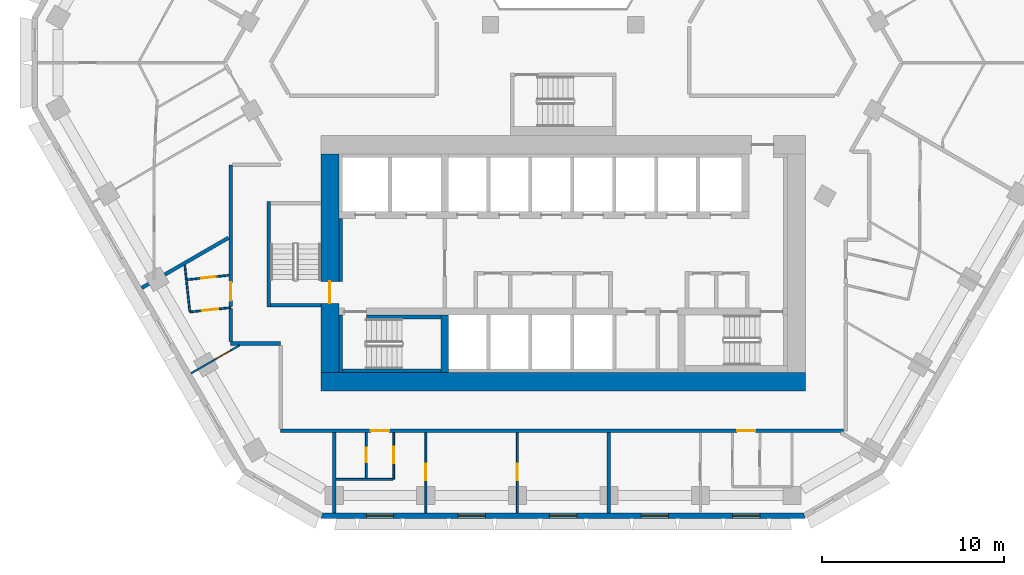
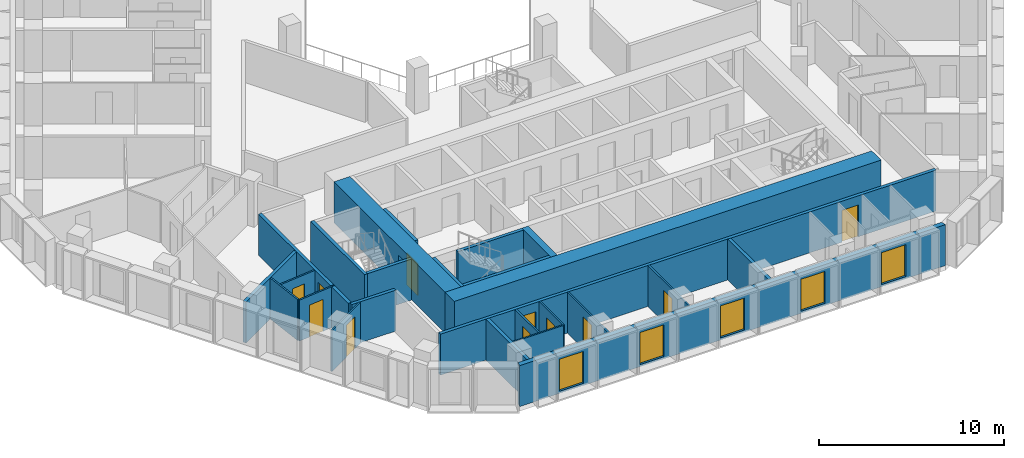
# One storey, part 3 of 16: 26 walls, 11 doors, 5 windows, 16 openings.
"""IFC4 building model written with IfcOpenShell, lengths in metres."""

from ifc_helpers import new_model, si_unit, direction, frame, frame_2d, origin, place, context, subcontext, project, spatial, polyline, rectangle, outline, extrude, material, layer, layer_set, type_object, element, fill, save


model = new_model("IFC4")

# Units and contexts
model_context = context("Model", 3, precision=1e-05, world=origin(), true_north=direction((0.0, 1.0)))
body_context = subcontext(model_context, "Body", "Model", "MODEL_VIEW")
ifc_project = project(units=[si_unit("LENGTHUNIT", "METRE"), si_unit("AREAUNIT", "SQUARE_METRE"), si_unit("VOLUMEUNIT", "CUBIC_METRE"), si_unit("PLANEANGLEUNIT", "RADIAN"), si_unit("MASSUNIT", "GRAM", prefix="KILO")], contexts=[model_context])

# Site, building, storey
site_placement = place(None, origin())
site = spatial("IfcSite", under=ifc_project, at=site_placement, CompositionType="ELEMENT")
building_placement = place(site_placement, origin())
building = spatial("IfcBuilding", under=site, at=building_placement, Name="Beryl Residences", CompositionType="ELEMENT")
storey_placement = place(building_placement, frame((0.0, 0.0, 96.0)))
storey = spatial("IfcBuildingStorey", under=building, at=storey_placement, Name="L29", CompositionType="ELEMENT", Elevation=96.0)

# Wall, openings, windows
ifc_material_1 = material(Name="Composite metal panel with mineral wool insulation")
ifc_layer_1 = layer(ifc_material_1, 0.300048828125)
ifc_layer_set_1 = layer_set([ifc_layer_1], Name="ES1 pale metal composite panel wall 300 mm")
wall_type_1 = type_object("IfcWallType", Name="ES1 pale metal composite panel wall 300 mm", PredefinedType="SOLIDWALL", material=ifc_layer_set_1)
wall_1_placement = place(storey_placement, frame((-13.279052734375, -25.85009765625, 0.0), z_axis=(0.0, 0.0, 1.0), x_axis=(1.0, 0.0, 0.0)))
wall_1 = element("IfcWall", 1, at=wall_1_placement, inside=storey, type_object=wall_type_1, Name="ES1 external wall L29 S", PredefinedType="SOLIDWALL", context=body_context, shape_type="SweptSolid", body=[
    extrude(outline(polyline([(0.0, -0.14990234375), (26.55810546875, -0.14990234375), (26.477783203125, 0.14990234375), (0.080322265625, 0.14990234375), (0.0, -0.14990234375)])), origin(), (0.0, 0.0, 1.0), 2.699951171875),
])
opening_1_placement = place(wall_1_placement, frame((2.48291015625, 0.0, 0.14990234375)))
opening_1 = element("IfcOpeningElement", 2, at=opening_1_placement, cuts=wall_1, Name="Opening W1", PredefinedType="OPENING", context=body_context, shape_type="SweptSolid", body=[
    extrude(rectangle(XDim=1.5, YDim=2.10009765625, at=frame_2d((0.75, 1.050048828125))), frame((0.0, 0.159912109375, 0.0), z_axis=(0.0, -1.0, 0.0), x_axis=(1.0, 0.0, 0.0)), (0.0, 0.0, 1.0), 0.320068359375),
])
opening_2_placement = place(wall_1_placement, frame((7.507080078125, 0.0, 0.14990234375)))
opening_2 = element("IfcOpeningElement", 3, at=opening_2_placement, cuts=wall_1, Name="Opening W1", PredefinedType="OPENING", context=body_context, shape_type="SweptSolid", body=[
    extrude(rectangle(XDim=1.5, YDim=2.10009765625, at=frame_2d((0.75, 1.050048828125))), frame((0.0, 0.159912109375, 0.0), z_axis=(0.0, -1.0, 0.0), x_axis=(1.0, 0.0, 0.0)), (0.0, 0.0, 1.0), 0.320068359375),
])
opening_3_placement = place(wall_1_placement, frame((12.529052734375, 0.0, 0.14990234375)))
opening_3 = element("IfcOpeningElement", 4, at=opening_3_placement, cuts=wall_1, Name="Opening W1", PredefinedType="OPENING", context=body_context, shape_type="SweptSolid", body=[
    extrude(rectangle(XDim=1.5, YDim=2.10009765625, at=frame_2d((0.75, 1.050048828125))), frame((0.0, 0.159912109375, 0.0), z_axis=(0.0, -1.0, 0.0), x_axis=(1.0, 0.0, 0.0)), (0.0, 0.0, 1.0), 0.320068359375),
])
opening_4_placement = place(wall_1_placement, frame((17.552978515625, 0.0, 0.14990234375)))
opening_4 = element("IfcOpeningElement", 5, at=opening_4_placement, cuts=wall_1, Name="Opening W1", PredefinedType="OPENING", context=body_context, shape_type="SweptSolid", body=[
    extrude(rectangle(XDim=1.5, YDim=2.10009765625, at=frame_2d((0.75, 1.050048828125))), frame((0.0, 0.159912109375, 0.0), z_axis=(0.0, -1.0, 0.0), x_axis=(1.0, 0.0, 0.0)), (0.0, 0.0, 1.0), 0.320068359375),
])
opening_5_placement = place(wall_1_placement, frame((22.574951171875, 0.0, 0.14990234375)))
opening_5 = element("IfcOpeningElement", 6, at=opening_5_placement, cuts=wall_1, Name="Opening W1", PredefinedType="OPENING", context=body_context, shape_type="SweptSolid", body=[
    extrude(rectangle(XDim=1.5, YDim=2.10009765625, at=frame_2d((0.75, 1.050048828125))), frame((0.0, 0.159912109375, 0.0), z_axis=(0.0, -1.0, 0.0), x_axis=(1.0, 0.0, 0.0)), (0.0, 0.0, 1.0), 0.320068359375),
])
ifc_material_2 = material(Name="Aluminium and clear glass", Category="aluminium")
window_type = type_object("IfcWindowType", Name="W1 cell window 1500 x 2100 mm", PartitioningType="SINGLE_PANEL", PredefinedType="WINDOW", material=ifc_material_2)
window_1_placement = place(opening_1_placement, origin())
window_1 = element("IfcWindow", 7, at=window_1_placement, inside=storey, type_object=window_type, Name="W1 window L29 S 2", OverallHeight=2.10009765625, OverallWidth=1.5, PartitioningType="SINGLE_PANEL", PredefinedType="WINDOW", context=body_context, shape_type="SweptSolid", body=[
    extrude(rectangle(XDim=1.5, YDim=2.10009765625, at=frame_2d((0.75, 1.050048828125))), frame((0.0, 0.030029296875, 0.0), z_axis=(0.0, -1.0, 0.0), x_axis=(1.0, 0.0, 0.0)), (0.0, 0.0, 1.0), 0.06005859375),
])
fill(opening_1, window_1)
window_2_placement = place(opening_2_placement, origin())
window_2 = element("IfcWindow", 8, at=window_2_placement, inside=storey, type_object=window_type, Name="W1 window L29 S 4", OverallHeight=2.10009765625, OverallWidth=1.5, PartitioningType="SINGLE_PANEL", PredefinedType="WINDOW", context=body_context, shape_type="SweptSolid", body=[
    extrude(rectangle(XDim=1.5, YDim=2.10009765625, at=frame_2d((0.75, 1.050048828125))), frame((0.0, 0.030029296875, 0.0), z_axis=(0.0, -1.0, 0.0), x_axis=(1.0, 0.0, 0.0)), (0.0, 0.0, 1.0), 0.06005859375),
])
fill(opening_2, window_2)
window_3_placement = place(opening_3_placement, origin())
window_3 = element("IfcWindow", 9, at=window_3_placement, inside=storey, type_object=window_type, Name="W1 window L29 S 6", OverallHeight=2.10009765625, OverallWidth=1.5, PartitioningType="SINGLE_PANEL", PredefinedType="WINDOW", context=body_context, shape_type="SweptSolid", body=[
    extrude(rectangle(XDim=1.5, YDim=2.10009765625, at=frame_2d((0.75, 1.050048828125))), frame((0.0, 0.030029296875, 0.0), z_axis=(0.0, -1.0, 0.0), x_axis=(1.0, 0.0, 0.0)), (0.0, 0.0, 1.0), 0.06005859375),
])
fill(opening_3, window_3)
window_4_placement = place(opening_4_placement, origin())
window_4 = element("IfcWindow", 10, at=window_4_placement, inside=storey, type_object=window_type, Name="W1 window L29 S 8", OverallHeight=2.10009765625, OverallWidth=1.5, PartitioningType="SINGLE_PANEL", PredefinedType="WINDOW", context=body_context, shape_type="SweptSolid", body=[
    extrude(rectangle(XDim=1.5, YDim=2.10009765625, at=frame_2d((0.75, 1.050048828125))), frame((0.0, 0.030029296875, 0.0), z_axis=(0.0, -1.0, 0.0), x_axis=(1.0, 0.0, 0.0)), (0.0, 0.0, 1.0), 0.06005859375),
])
fill(opening_4, window_4)
window_5_placement = place(opening_5_placement, origin())
window_5 = element("IfcWindow", 11, at=window_5_placement, inside=storey, type_object=window_type, Name="W1 window L29 S 10", OverallHeight=2.10009765625, OverallWidth=1.5, PartitioningType="SINGLE_PANEL", PredefinedType="WINDOW", context=body_context, shape_type="SweptSolid", body=[
    extrude(rectangle(XDim=1.5, YDim=2.10009765625, at=frame_2d((0.75, 1.050048828125))), frame((0.0, 0.030029296875, 0.0), z_axis=(0.0, -1.0, 0.0), x_axis=(1.0, 0.0, 0.0)), (0.0, 0.0, 1.0), 0.06005859375),
])
fill(opening_5, window_5)

# Wall
ifc_material_3 = material(Name="Gypsum board partition on steel studs", Category="steel")
ifc_layer_2 = layer(ifc_material_3, 0.10009765625)
ifc_layer_set_2 = layer_set([ifc_layer_2], Name="PT1 partition 100 mm gypsum board on steel studs")
wall_type_2 = type_object("IfcWallType", Name="PT1 partition 100 mm gypsum board on steel studs", PredefinedType="PARTITIONING", material=ifc_layer_set_2)
wall_2_placement = place(storey_placement, frame((-20.761962890625, -12.10205078125, 0.0), z_axis=(0.0, 0.0, 1.0), x_axis=(0.106118300401, -0.994353511745, 0.0)))
element("IfcWall", 12, at=wall_2_placement, inside=storey, type_object=wall_type_2, Name="Wall PT1 L29 006", PredefinedType="PARTITIONING", context=body_context, shape_type="SweptSolid", body=[
    extrude(rectangle(XDim=2.535400390625, YDim=0.10009765625, at=frame_2d((1.267578125, 0.0))), origin(), (0.0, 0.0, 1.0), 2.699951171875),
])

# Wall, opening, door
wall_3_placement = place(storey_placement, frame((-7.533935546875, -21.300048828125, 0.0), z_axis=(0.0, 0.0, 1.0), x_axis=(0.0, -1.0, 0.0)))
wall_3 = element("IfcWall", 13, at=wall_3_placement, inside=storey, type_object=wall_type_2, Name="Wall PT1 L29 010", PredefinedType="PARTITIONING", context=body_context, shape_type="SweptSolid", body=[
    extrude(rectangle(XDim=4.39990234375, YDim=0.10009765625, at=frame_2d((2.199951171875, 0.0))), origin(), (0.0, 0.0, 1.0), 2.699951171875),
])
opening_6_placement = place(wall_3_placement, frame((1.699951171875, 0.0, 0.0)))
opening_6 = element("IfcOpeningElement", 14, at=opening_6_placement, cuts=wall_3, Name="Opening D0904", PredefinedType="OPENING", context=body_context, shape_type="SweptSolid", body=[
    extrude(rectangle(XDim=0.89990234375, YDim=2.10009765625, at=frame_2d((0.449951171875, 1.050048828125))), frame((0.0, 0.06005859375, 0.0), z_axis=(0.0, -1.0, 0.0), x_axis=(1.0, 0.0, 0.0)), (0.0, 0.0, 1.0), 0.1201171875),
])
ifc_material_4 = material(Name="Timber door leaf", Category="wood")
door_type_1 = type_object("IfcDoorType", Name="D2 room door 900 x 2100 mm", OperationType="SINGLE_SWING_LEFT", PredefinedType="DOOR", material=ifc_material_4)
door_1_placement = place(opening_6_placement, origin())
door_1 = element("IfcDoor", 15, at=door_1_placement, inside=storey, type_object=door_type_1, Name="Door D0904 L29 001", OperationType="SINGLE_SWING_RIGHT", OverallHeight=2.10009765625, OverallWidth=0.89990234375, PredefinedType="DOOR", context=body_context, shape_type="SweptSolid", body=[
    extrude(rectangle(XDim=0.89990234375, YDim=2.10009765625, at=frame_2d((0.449951171875, 1.050048828125))), frame((0.0, 0.02490234375, 0.0), z_axis=(0.0, -1.0, 0.0), x_axis=(1.0, 0.0, 0.0)), (0.0, 0.0, 1.0), 0.050048828125),
])
fill(opening_6, door_1)

# Wall
wall_4_placement = place(storey_placement, frame((-12.45703125, -23.860107421875, 0.0), z_axis=(0.0, 0.0, 1.0), x_axis=(1.0, 0.0, 0.0)))
element("IfcWall", 16, at=wall_4_placement, inside=storey, type_object=wall_type_2, Name="Wall PT1 L29 028", PredefinedType="PARTITIONING", context=body_context, shape_type="SweptSolid", body=[
    extrude(rectangle(XDim=3.114013671875, YDim=0.10009765625, at=frame_2d((1.55712890625, 0.0))), origin(), (0.0, 0.0, 1.0), 2.699951171875),
])

# Wall, opening, door
wall_5_placement = place(storey_placement, frame((-20.6259765625, -12.902099609375, 0.0), z_axis=(0.0, 0.0, 1.0), x_axis=(0.994385570266, 0.105817473257, 0.0)))
wall_5 = element("IfcWall", 17, at=wall_5_placement, inside=storey, type_object=wall_type_2, Name="Wall PT1 L29 033", PredefinedType="PARTITIONING", context=body_context, shape_type="SweptSolid", body=[
    extrude(rectangle(XDim=2.288818359375, YDim=0.10009765625, at=frame_2d((1.14453125, 0.0))), origin(), (0.0, 0.0, 1.0), 2.699951171875),
])
opening_7_placement = place(wall_5_placement, frame((0.77001953125, 0.0, 0.0)))
opening_7 = element("IfcOpeningElement", 18, at=opening_7_placement, cuts=wall_5, Name="Opening D0960", PredefinedType="OPENING", context=body_context, shape_type="SweptSolid", body=[
    extrude(rectangle(XDim=0.800048828125, YDim=2.10009765625, at=frame_2d((0.39990234375, 1.050048828125))), frame((0.0, 0.06005859375, 0.0), z_axis=(0.0, -1.0, 0.0), x_axis=(1.0, 0.0, 0.0)), (0.0, 0.0, 1.0), 0.1201171875),
])
ifc_material_5 = material(Name="Timber door leaf", Category="wood")
door_type_2 = type_object("IfcDoorType", Name="D3 bathroom door 800 x 2100 mm", OperationType="SINGLE_SWING_LEFT", PredefinedType="DOOR", material=ifc_material_5)
door_2_placement = place(opening_7_placement, origin())
door_2 = element("IfcDoor", 19, at=door_2_placement, inside=storey, type_object=door_type_2, Name="Door D0960 L29 001", OperationType="SINGLE_SWING_RIGHT", OverallHeight=2.10009765625, OverallWidth=0.800048828125, PredefinedType="DOOR", context=body_context, shape_type="SweptSolid", body=[
    extrude(rectangle(XDim=0.800048828125, YDim=2.10009765625, at=frame_2d((0.39990234375, 1.050048828125))), frame((0.0, 0.02490234375, 0.0), z_axis=(0.0, -1.0, 0.0), x_axis=(1.0, 0.0, 0.0)), (0.0, 0.0, 1.0), 0.050048828125),
])
fill(opening_7, door_2)

wall_6_placement = place(storey_placement, frame((-20.487060546875, -14.674072265625, 0.0), z_axis=(0.0, 0.0, 1.0), x_axis=(0.994386484046, 0.105808885948, 0.0)))
wall_6 = element("IfcWall", 20, at=wall_6_placement, inside=storey, type_object=wall_type_2, Name="Wall PT1 L29 034", PredefinedType="PARTITIONING", context=body_context, shape_type="SweptSolid", body=[
    extrude(rectangle(XDim=2.249755859375, YDim=0.10009765625, at=frame_2d((1.125, 0.0))), origin(), (0.0, 0.0, 1.0), 2.699951171875),
])
opening_8_placement = place(wall_6_placement, frame((0.674072265625, 0.0, 0.0)))
opening_8 = element("IfcOpeningElement", 21, at=opening_8_placement, cuts=wall_6, Name="Opening D0959", PredefinedType="OPENING", context=body_context, shape_type="SweptSolid", body=[
    extrude(rectangle(XDim=0.89990234375, YDim=2.10009765625, at=frame_2d((0.449951171875, 1.050048828125))), frame((0.0, 0.06005859375, 0.0), z_axis=(0.0, -1.0, 0.0), x_axis=(1.0, 0.0, 0.0)), (0.0, 0.0, 1.0), 0.1201171875),
])
door_3_placement = place(opening_8_placement, origin())
door_3 = element("IfcDoor", 22, at=door_3_placement, inside=storey, type_object=door_type_1, Name="Door D0959 L29 001", OperationType="SINGLE_SWING_LEFT", OverallHeight=2.10009765625, OverallWidth=0.89990234375, PredefinedType="DOOR", context=body_context, shape_type="SweptSolid", body=[
    extrude(rectangle(XDim=0.89990234375, YDim=2.10009765625, at=frame_2d((0.449951171875, 1.050048828125))), frame((0.0, 0.02490234375, 0.0), z_axis=(0.0, -1.0, 0.0), x_axis=(1.0, 0.0, 0.0)), (0.0, 0.0, 1.0), 0.050048828125),
])
fill(opening_8, door_3)

wall_7_placement = place(storey_placement, frame((-9.2919921875, -23.85888671875, 0.0), z_axis=(0.0, 0.0, 1.0), x_axis=(0.0, 1.0, 0.0)))
wall_7 = element("IfcWall", 23, at=wall_7_placement, inside=storey, type_object=wall_type_2, Name="Wall PT1 L29 053", PredefinedType="PARTITIONING", context=body_context, shape_type="SweptSolid", body=[
    extrude(rectangle(XDim=2.558837890625, YDim=0.10009765625, at=frame_2d((1.279296875, 0.0))), origin(), (0.0, 0.0, 1.0), 2.699951171875),
])
opening_9_placement = place(wall_7_placement, frame((0.87890625, 0.0, 0.0)))
opening_9 = element("IfcOpeningElement", 24, at=opening_9_placement, cuts=wall_7, Name="Opening D0902", PredefinedType="OPENING", context=body_context, shape_type="SweptSolid", body=[
    extrude(rectangle(XDim=0.89990234375, YDim=2.10009765625, at=frame_2d((0.449951171875, 1.050048828125))), frame((0.0, 0.06005859375, 0.0), z_axis=(0.0, -1.0, 0.0), x_axis=(1.0, 0.0, 0.0)), (0.0, 0.0, 1.0), 0.1201171875),
])
door_4_placement = place(opening_9_placement, origin())
door_4 = element("IfcDoor", 25, at=door_4_placement, inside=storey, type_object=door_type_1, Name="Door D0902 L29 001", OperationType="SINGLE_SWING_RIGHT", OverallHeight=2.10009765625, OverallWidth=0.89990234375, PredefinedType="DOOR", context=body_context, shape_type="SweptSolid", body=[
    extrude(rectangle(XDim=0.89990234375, YDim=2.10009765625, at=frame_2d((0.449951171875, 1.050048828125))), frame((0.0, 0.02490234375, 0.0), z_axis=(0.0, -1.0, 0.0), x_axis=(1.0, 0.0, 0.0)), (0.0, 0.0, 1.0), 0.050048828125),
])
fill(opening_9, door_4)

wall_8_placement = place(storey_placement, frame((-10.799072265625, -23.81005859375, 0.0), z_axis=(0.0, 0.0, 1.0), x_axis=(0.0, 1.0, 0.0)))
wall_8 = element("IfcWall", 26, at=wall_8_placement, inside=storey, type_object=wall_type_2, Name="Wall PT1 L29 054", PredefinedType="PARTITIONING", context=body_context, shape_type="SweptSolid", body=[
    extrude(rectangle(XDim=2.510009765625, YDim=0.10009765625, at=frame_2d((1.2548828125, 0.0))), origin(), (0.0, 0.0, 1.0), 2.699951171875),
])
opening_10_placement = place(wall_8_placement, frame((0.8798828125, 0.0, 0.0)))
opening_10 = element("IfcOpeningElement", 27, at=opening_10_placement, cuts=wall_8, Name="Opening D0903", PredefinedType="OPENING", context=body_context, shape_type="SweptSolid", body=[
    extrude(rectangle(XDim=0.800048828125, YDim=2.10009765625, at=frame_2d((0.39990234375, 1.050048828125))), frame((0.0, 0.06005859375, 0.0), z_axis=(0.0, -1.0, 0.0), x_axis=(1.0, 0.0, 0.0)), (0.0, 0.0, 1.0), 0.1201171875),
])
door_5_placement = place(opening_10_placement, origin())
door_5 = element("IfcDoor", 28, at=door_5_placement, inside=storey, type_object=door_type_2, Name="Door D0903 L29 001", OperationType="SINGLE_SWING_LEFT", OverallHeight=2.10009765625, OverallWidth=0.800048828125, PredefinedType="DOOR", context=body_context, shape_type="SweptSolid", body=[
    extrude(rectangle(XDim=0.800048828125, YDim=2.10009765625, at=frame_2d((0.39990234375, 1.050048828125))), frame((0.0, 0.02490234375, 0.0), z_axis=(0.0, -1.0, 0.0), x_axis=(1.0, 0.0, 0.0)), (0.0, 0.0, 1.0), 0.050048828125),
])
fill(opening_10, door_5)

wall_9_placement = place(storey_placement, frame((-2.510986328125, -25.699951171875, 0.0), z_axis=(0.0, 0.0, 1.0), x_axis=(0.0, 1.0, 0.0)))
wall_9 = element("IfcWall", 29, at=wall_9_placement, inside=storey, type_object=wall_type_2, Name="Wall PT1 L29 056", PredefinedType="PARTITIONING", context=body_context, shape_type="SweptSolid", body=[
    extrude(rectangle(XDim=4.39990234375, YDim=0.10009765625, at=frame_2d((2.199951171875, 0.0))), origin(), (0.0, 0.0, 1.0), 2.699951171875),
])
opening_11_placement = place(wall_9_placement, frame((1.800048828125, 0.0, 0.0)))
opening_11 = element("IfcOpeningElement", 30, at=opening_11_placement, cuts=wall_9, Name="Opening D0905", PredefinedType="OPENING", context=body_context, shape_type="SweptSolid", body=[
    extrude(rectangle(XDim=0.89990234375, YDim=2.10009765625, at=frame_2d((0.449951171875, 1.050048828125))), frame((0.0, 0.06005859375, 0.0), z_axis=(0.0, -1.0, 0.0), x_axis=(1.0, 0.0, 0.0)), (0.0, 0.0, 1.0), 0.1201171875),
])
door_6_placement = place(opening_11_placement, origin())
door_6 = element("IfcDoor", 31, at=door_6_placement, inside=storey, type_object=door_type_1, Name="Door D0905 L29 001", OperationType="SINGLE_SWING_LEFT", OverallHeight=2.10009765625, OverallWidth=0.89990234375, PredefinedType="DOOR", context=body_context, shape_type="SweptSolid", body=[
    extrude(rectangle(XDim=0.89990234375, YDim=2.10009765625, at=frame_2d((0.449951171875, 1.050048828125))), frame((0.0, 0.02490234375, 0.0), z_axis=(0.0, -1.0, 0.0), x_axis=(1.0, 0.0, 0.0)), (0.0, 0.0, 1.0), 0.050048828125),
])
fill(opening_11, door_6)

wall_10_placement = place(storey_placement, frame((-20.416015625, -18.0380859375, 0.0), z_axis=(0.0, 0.0, 1.0), x_axis=(0.866026989333, 0.499997253739, 0.0)))
wall_10 = element("IfcWall", 32, at=wall_10_placement, inside=storey, type_object=wall_type_2, Name="Wall PT1 L29 059", PredefinedType="PARTITIONING", context=body_context, shape_type="SweptSolid", body=[
    extrude(rectangle(XDim=3.076171875, YDim=0.10009765625, at=frame_2d((1.5380859375, 0.0))), origin(), (0.0, 0.0, 1.0), 2.699951171875),
])
opening_12_placement = place(wall_10_placement, frame((1.587890625, 0.0, 0.0)))
opening_12 = element("IfcOpeningElement", 33, at=opening_12_placement, cuts=wall_10, Name="Opening D0961", PredefinedType="OPENING", context=body_context, shape_type="SweptSolid", body=[
    extrude(rectangle(XDim=0.89990234375, YDim=2.10009765625, at=frame_2d((0.449951171875, 1.050048828125))), frame((0.0, 0.06005859375, 0.0), z_axis=(0.0, -1.0, 0.0), x_axis=(1.0, 0.0, 0.0)), (0.0, 0.0, 1.0), 0.1201171875),
])
door_7_placement = place(opening_12_placement, origin())
door_7 = element("IfcDoor", 34, at=door_7_placement, inside=storey, type_object=door_type_1, Name="Door D0961 L29 001", OperationType="SINGLE_SWING_LEFT", OverallHeight=2.10009765625, OverallWidth=0.89990234375, PredefinedType="DOOR", context=body_context, shape_type="SweptSolid", body=[
    extrude(rectangle(XDim=0.89990234375, YDim=2.10009765625, at=frame_2d((0.449951171875, 1.050048828125))), frame((0.0, 0.02490234375, 0.0), z_axis=(0.0, -1.0, 0.0), x_axis=(1.0, 0.0, 0.0)), (0.0, 0.0, 1.0), 0.050048828125),
])
fill(opening_12, door_7)

# Walls
ifc_material_6 = material(Name="Concrete masonry", Category="masonry")
ifc_layer_3 = layer(ifc_material_6, 0.199951171875)
ifc_layer_set_3 = layer_set([ifc_layer_3], Name="PT13 lobby wall 200 mm")
wall_type_3 = type_object("IfcWallType", Name="PT13 lobby wall 200 mm", PredefinedType="PARTITIONING", material=ifc_layer_set_3)
wall_11_placement = place(storey_placement, frame((-12.199951171875, -13.0, 0.0), z_axis=(0.0, 0.0, 1.0), x_axis=(0.0, 1.0, 0.0)))
element("IfcWall", 35, at=wall_11_placement, inside=storey, type_object=wall_type_3, Name="Lobby wall 05", PredefinedType="PARTITIONING", context=body_context, shape_type="SweptSolid", body=[
    extrude(rectangle(XDim=3.449951171875, YDim=0.199951171875, at=frame_2d((1.72509765625, 0.0))), origin(), (0.0, 0.0, 1.0), 2.699951171875),
])
ifc_material_7 = material(Name="Acoustic double stud gypsum board wall")
ifc_layer_4 = layer(ifc_material_7, 0.199951171875)
ifc_layer_set_4 = layer_set([ifc_layer_4], Name="PT3 party wall 200 mm acoustic double stud")
wall_type_4 = type_object("IfcWallType", Name="PT3 party wall 200 mm acoustic double stud", PredefinedType="PARTITIONING", material=ifc_layer_set_4)
for number, where, z_axis, x_axis, name in (
    (36, (2.511962890625, -25.699951171875, 0.0), (0.0, 0.0, 1.0), (0.0, 1.0, 0.0), "Wall PT3 L29 007"),
    (37, (-12.556884765625, -25.699951171875, 0.0), (0.0, 0.0, 1.0), (0.0, 1.0, 0.0), "Wall PT3 L29 009"),
):
    element("IfcWall", number, at=place(storey_placement, frame(where, z_axis=z_axis, x_axis=x_axis)), inside=storey, type_object=wall_type_4, Name=name, PredefinedType="PARTITIONING", context=body_context, shape_type="SweptSolid", body=[
        extrude(rectangle(XDim=4.39990234375, YDim=0.199951171875, at=frame_2d((2.199951171875, 0.0))), origin(), (0.0, 0.0, 1.0), 2.699951171875),
    ])
wall_12_placement = place(storey_placement, frame((-23.123046875, -13.35009765625, 0.0), z_axis=(0.0, 0.0, 1.0), x_axis=(0.866013095437, 0.500021318078, 0.0)))
element("IfcWall", 38, at=wall_12_placement, inside=storey, type_object=wall_type_4, Name="Wall PT3 L29 010", PredefinedType="PARTITIONING", context=body_context, shape_type="SweptSolid", body=[
    extrude(rectangle(XDim=5.491943359375, YDim=0.199951171875, at=frame_2d((2.74609375, 0.0))), origin(), (0.0, 0.0, 1.0), 2.699951171875),
])
ifc_material_8 = material(Name="Double stud gypsum board wall")
ifc_layer_5 = layer(ifc_material_8, 0.199951171875)
ifc_layer_set_5 = layer_set([ifc_layer_5], Name="PT4 corridor wall 200 mm double stud")
wall_type_5 = type_object("IfcWallType", Name="PT4 corridor wall 200 mm double stud", PredefinedType="PARTITIONING", material=ifc_layer_set_5)
wall_13_placement = place(storey_placement, frame((-18.25, -14.486083984375, 0.0), z_axis=(0.0, 0.0, 1.0), x_axis=(0.0, -1.0, 0.0)))
element("IfcWall", 39, at=wall_13_placement, inside=storey, type_object=wall_type_5, Name="Wall PT4 L29 008", PredefinedType="PARTITIONING", context=body_context, shape_type="SweptSolid", body=[
    extrude(rectangle(XDim=1.81298828125, YDim=0.199951171875, at=frame_2d((0.906494140625, 0.0))), origin(), (0.0, 0.0, 1.0), 2.699951171875),
])
wall_14_placement = place(storey_placement, frame((-18.2490234375, -16.39990234375, 0.0), z_axis=(0.0, 0.0, 1.0), x_axis=(1.0, 0.0, 0.0)))
element("IfcWall", 40, at=wall_14_placement, inside=storey, type_object=wall_type_5, Name="Wall PT4 L29 015", PredefinedType="PARTITIONING", context=body_context, shape_type="SweptSolid", body=[
    extrude(rectangle(XDim=2.748046875, YDim=0.199951171875, at=frame_2d((1.3740234375, 0.0))), origin(), (0.0, 0.0, 1.0), 2.699951171875),
])

# Wall, openings, doors
wall_15_placement = place(storey_placement, frame((-15.4990234375, -21.199951171875, 0.0), z_axis=(0.0, 0.0, 1.0), x_axis=(1.0, 0.0, 0.0)))
wall_15 = element("IfcWall", 41, at=wall_15_placement, inside=storey, type_object=wall_type_5, Name="Wall PT4 L29 016", PredefinedType="PARTITIONING", context=body_context, shape_type="SweptSolid", body=[
    extrude(rectangle(XDim=30.89794921875, YDim=0.199951171875, at=frame_2d((15.448974609375, 0.0))), origin(), (0.0, 0.0, 1.0), 2.699951171875),
])
opening_13_placement = place(wall_15_placement, frame((4.9541015625, 0.0, 0.0)))
opening_13 = element("IfcOpeningElement", 42, at=opening_13_placement, cuts=wall_15, Name="Opening D0901", PredefinedType="OPENING", context=body_context, shape_type="SweptSolid", body=[
    extrude(rectangle(XDim=1.0, YDim=2.10009765625, at=frame_2d((0.5, 1.050048828125))), frame((0.0, 0.10986328125, 0.0), z_axis=(0.0, -1.0, 0.0), x_axis=(1.0, 0.0, 0.0)), (0.0, 0.0, 1.0), 0.219970703125),
])
opening_14_placement = place(wall_15_placement, frame((25.0458984375, 0.0, 0.0)))
opening_14 = element("IfcOpeningElement", 43, at=opening_14_placement, cuts=wall_15, Name="Opening D0906", PredefinedType="OPENING", context=body_context, shape_type="SweptSolid", body=[
    extrude(rectangle(XDim=1.0, YDim=2.10009765625, at=frame_2d((0.5, 1.050048828125))), frame((0.0, 0.10986328125, 0.0), z_axis=(0.0, -1.0, 0.0), x_axis=(1.0, 0.0, 0.0)), (0.0, 0.0, 1.0), 0.219970703125),
])
ifc_material_9 = material(Name="Timber door leaf", Category="wood")
door_type_3 = type_object("IfcDoorType", Name="D1 flat entrance door 1000 x 2100 mm", OperationType="SINGLE_SWING_LEFT", PredefinedType="DOOR", material=ifc_material_9)
door_8_placement = place(opening_13_placement, origin())
door_8 = element("IfcDoor", 44, at=door_8_placement, inside=storey, type_object=door_type_3, Name="Door D0901 L29 001", OperationType="SINGLE_SWING_LEFT", OverallHeight=2.10009765625, OverallWidth=1.0, PredefinedType="DOOR", context=body_context, shape_type="SweptSolid", body=[
    extrude(rectangle(XDim=1.0, YDim=2.10009765625, at=frame_2d((0.5, 1.050048828125))), frame((0.0, 0.02490234375, 0.0), z_axis=(0.0, -1.0, 0.0), x_axis=(1.0, 0.0, 0.0)), (0.0, 0.0, 1.0), 0.050048828125),
])
fill(opening_13, door_8)
door_9_placement = place(opening_14_placement, origin())
door_9 = element("IfcDoor", 45, at=door_9_placement, inside=storey, type_object=door_type_3, Name="Door D0906 L29 001", OperationType="SINGLE_SWING_RIGHT", OverallHeight=2.10009765625, OverallWidth=1.0, PredefinedType="DOOR", context=body_context, shape_type="SweptSolid", body=[
    extrude(rectangle(XDim=1.0, YDim=2.10009765625, at=frame_2d((0.5, 1.050048828125))), frame((0.0, 0.02490234375, 0.0), z_axis=(0.0, -1.0, 0.0), x_axis=(1.0, 0.0, 0.0)), (0.0, 0.0, 1.0), 0.050048828125),
])
fill(opening_14, door_9)

# Wall, opening, door
wall_16_placement = place(storey_placement, frame((-18.25, -14.385986328125, 0.0), z_axis=(0.0, 0.0, 1.0), x_axis=(0.0, 1.0, 0.0)))
wall_16 = element("IfcWall", 46, at=wall_16_placement, inside=storey, type_object=wall_type_5, Name="Wall PT4 L29 034", PredefinedType="PARTITIONING", context=body_context, shape_type="SweptSolid", body=[
    extrude(rectangle(XDim=7.785888671875, YDim=0.199951171875, at=frame_2d((3.89306640625, 0.0))), origin(), (0.0, 0.0, 1.0), 2.699951171875),
])
opening_15_placement = place(wall_16_placement, frame((0.340087890625, 0.0, 0.0)))
opening_15 = element("IfcOpeningElement", 47, at=opening_15_placement, cuts=wall_16, Name="Opening D0958", PredefinedType="OPENING", context=body_context, shape_type="SweptSolid", body=[
    extrude(rectangle(XDim=1.0, YDim=2.10009765625, at=frame_2d((0.5, 1.050048828125))), frame((0.0, 0.10986328125, 0.0), z_axis=(0.0, -1.0, 0.0), x_axis=(1.0, 0.0, 0.0)), (0.0, 0.0, 1.0), 0.219970703125),
])
door_10_placement = place(opening_15_placement, origin())
door_10 = element("IfcDoor", 48, at=door_10_placement, inside=storey, type_object=door_type_3, Name="Door D0958 L29 001", OperationType="SINGLE_SWING_RIGHT", OverallHeight=2.10009765625, OverallWidth=1.0, PredefinedType="DOOR", context=body_context, shape_type="SweptSolid", body=[
    extrude(rectangle(XDim=1.0, YDim=2.10009765625, at=frame_2d((0.5, 1.050048828125))), frame((0.0, 0.02490234375, 0.0), z_axis=(0.0, -1.0, 0.0), x_axis=(1.0, 0.0, 0.0)), (0.0, 0.0, 1.0), 0.050048828125),
])
fill(opening_15, door_10)

# Walls
ifc_material_10 = material(Name="Concrete C40/50", Category="concrete")
ifc_layer_6 = layer(ifc_material_10, 0.199951171875)
ifc_layer_set_6 = layer_set([ifc_layer_6], Name="PT5 stair enclosure wall 200 mm reinforced concrete C40/50")
wall_type_6 = type_object("IfcWallType", Name="PT5 stair enclosure wall 200 mm reinforced concrete C40/50", PredefinedType="SOLIDWALL", material=ifc_layer_set_6)
wall_17_placement = place(storey_placement, frame((-16.14990234375, -14.39990234375, 0.0), z_axis=(0.0, 0.0, 1.0), x_axis=(0.0, 1.0, 0.0)))
element("IfcWall", 49, at=wall_17_placement, inside=storey, type_object=wall_type_6, Name="Stair wall 01", PredefinedType="SOLIDWALL", context=body_context, shape_type="SweptSolid", body=[
    extrude(rectangle(XDim=5.7998046875, YDim=0.199951171875, at=frame_2d((2.89990234375, 0.0))), origin(), (0.0, 0.0, 1.0), 2.699951171875),
])
wall_18_placement = place(storey_placement, frame((-16.050048828125, -14.300048828125, 0.0), z_axis=(0.0, 0.0, 1.0), x_axis=(1.0, 0.0, 0.0)))
element("IfcWall", 50, at=wall_18_placement, inside=storey, type_object=wall_type_6, Name="Stair wall 02", PredefinedType="SOLIDWALL", context=body_context, shape_type="SweptSolid", body=[
    extrude(rectangle(XDim=2.75, YDim=0.199951171875, at=frame_2d((1.375, 0.0))), origin(), (0.0, 0.0, 1.0), 2.699951171875),
])
wall_19_placement = place(storey_placement, frame((-12.199951171875, -18.0, 0.0), z_axis=(0.0, 0.0, 1.0), x_axis=(0.0, 1.0, 0.0)))
element("IfcWall", 51, at=wall_19_placement, inside=storey, type_object=wall_type_6, Name="Stair wall 04", PredefinedType="SOLIDWALL", context=body_context, shape_type="SweptSolid", body=[
    extrude(rectangle(XDim=3.14990234375, YDim=0.199951171875, at=frame_2d((1.574951171875, 0.0))), origin(), (0.0, 0.0, 1.0), 2.699951171875),
])
wall_20_placement = place(storey_placement, frame((-12.10009765625, -17.89990234375, 0.0), z_axis=(0.0, 0.0, 1.0), x_axis=(1.0, 0.0, 0.0)))
element("IfcWall", 52, at=wall_20_placement, inside=storey, type_object=wall_type_6, Name="Stair wall 07", PredefinedType="SOLIDWALL", context=body_context, shape_type="SweptSolid", body=[
    extrude(rectangle(XDim=5.400146484375, YDim=0.199951171875, at=frame_2d((2.7001953125, 0.0))), origin(), (0.0, 0.0, 1.0), 2.699951171875),
])
wall_21_placement = place(storey_placement, frame((-10.800048828125, -14.949951171875, 0.0), z_axis=(0.0, 0.0, 1.0), x_axis=(1.0, 0.0, 0.0)))
element("IfcWall", 53, at=wall_21_placement, inside=storey, type_object=wall_type_6, Name="Stair wall 09", PredefinedType="SOLIDWALL", context=body_context, shape_type="SweptSolid", body=[
    extrude(rectangle(XDim=4.10009765625, YDim=0.199951171875, at=frame_2d((2.050048828125, 0.0))), origin(), (0.0, 0.0, 1.0), 2.699951171875),
])
ifc_material_11 = material(Name="Concrete C70/85", Category="concrete")
ifc_layer_7 = layer(ifc_material_11, 1.0)
ifc_layer_set_7 = layer_set([ifc_layer_7], Name="SW2 core outer wall 1000 mm C70/85")
wall_type_7 = type_object("IfcWallType", Name="SW2 core outer wall 1000 mm C70/85", PredefinedType="SHEAR", material=ifc_layer_set_7)
wall_22_placement = place(storey_placement, frame((-13.300048828125, -18.5, 0.0), z_axis=(0.0, 0.0, 1.0), x_axis=(1.0, 0.0, 0.0)))
element("IfcWall", 54, at=wall_22_placement, inside=storey, type_object=wall_type_7, Name="Core wall S L29", PredefinedType="SHEAR", context=body_context, shape_type="SweptSolid", body=[
    extrude(rectangle(XDim=26.60009765625, YDim=1.0, at=frame_2d((13.300048828125, 0.0))), origin(), (0.0, 0.0, 1.0), 2.699951171875),
])

# Wall, opening, door
wall_23_placement = place(storey_placement, frame((-12.800048828125, -18.0, 0.0), z_axis=(0.0, 0.0, 1.0), x_axis=(0.0, 1.0, 0.0)))
wall_23 = element("IfcWall", 55, at=wall_23_placement, inside=storey, type_object=wall_type_7, Name="Core wall W L29", PredefinedType="SHEAR", context=body_context, shape_type="SweptSolid", body=[
    extrude(rectangle(XDim=12.0, YDim=1.0, at=frame_2d((6.0, 0.0))), origin(), (0.0, 0.0, 1.0), 2.699951171875),
])
opening_16_placement = place(wall_23_placement, frame((3.800048828125, 0.0, 0.0)))
opening_16 = element("IfcOpeningElement", 56, at=opening_16_placement, cuts=wall_23, Name="Opening SD-2", PredefinedType="OPENING", context=body_context, shape_type="SweptSolid", body=[
    extrude(rectangle(XDim=1.199951171875, YDim=2.10009765625, at=frame_2d((0.60009765625, 1.050048828125))), frame((0.0, 0.510009765625, 0.0), z_axis=(0.0, -1.0, 0.0), x_axis=(1.0, 0.0, 0.0)), (0.0, 0.0, 1.0), 1.02001953125),
])
ifc_material_12 = material(Name="Steel door leaf in steel frame", Category="steel")
door_type_4 = type_object("IfcDoorType", Name="D4 stair door 1200 x 2100 mm", OperationType="SINGLE_SWING_LEFT", PredefinedType="DOOR", material=ifc_material_12)
door_11_placement = place(opening_16_placement, origin())
door_11 = element("IfcDoor", 57, at=door_11_placement, inside=storey, type_object=door_type_4, Name="Door SD-2 L29 001", OperationType="SINGLE_SWING_RIGHT", OverallHeight=2.10009765625, OverallWidth=1.199951171875, PredefinedType="DOOR", context=body_context, shape_type="SweptSolid", body=[
    extrude(rectangle(XDim=1.199951171875, YDim=2.10009765625, at=frame_2d((0.60009765625, 1.050048828125))), frame((0.0, 0.02490234375, 0.0), z_axis=(0.0, -1.0, 0.0), x_axis=(1.0, 0.0, 0.0)), (0.0, 0.0, 1.0), 0.050048828125),
])
fill(opening_16, door_11)

# Wall
ifc_material_13 = material(Name="Concrete C70/85", Category="concrete")
ifc_layer_8 = layer(ifc_material_13, 0.39990234375)
ifc_layer_set_8 = layer_set([ifc_layer_8], Name="SW7 core internal wall 400 mm C70/85")
wall_type_8 = type_object("IfcWallType", Name="SW7 core internal wall 400 mm C70/85", PredefinedType="SHEAR", material=ifc_layer_set_8)
wall_24_placement = place(storey_placement, frame((-6.5, -18.0, 0.0), z_axis=(0.0, 0.0, 1.0), x_axis=(0.0, 1.0, 0.0)))
element("IfcWall", 58, at=wall_24_placement, inside=storey, type_object=wall_type_8, Name="Core wall XS1 L29", PredefinedType="SHEAR", context=body_context, shape_type="SweptSolid", body=[
    extrude(rectangle(XDim=3.14990234375, YDim=0.39990234375, at=frame_2d((1.574951171875, 0.0))), origin(), (0.0, 0.0, 1.0), 2.699951171875),
])

save(model, "model.ifc")
